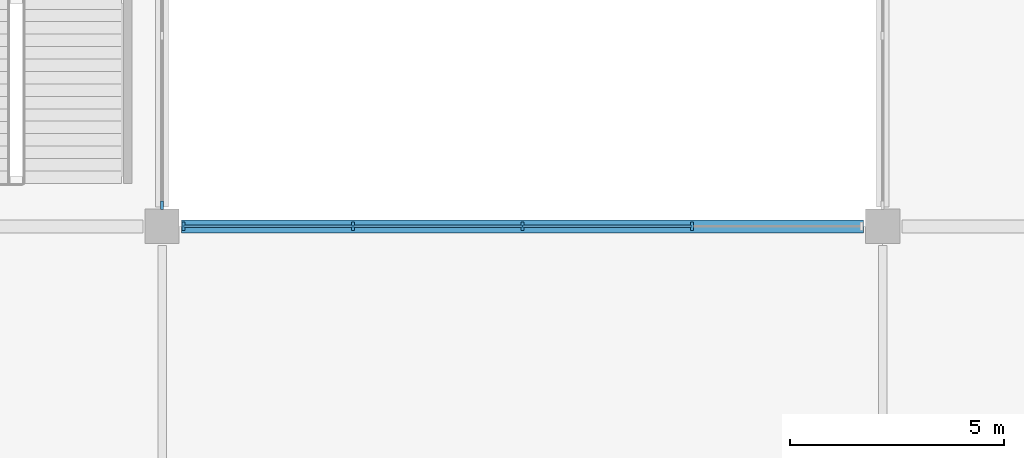
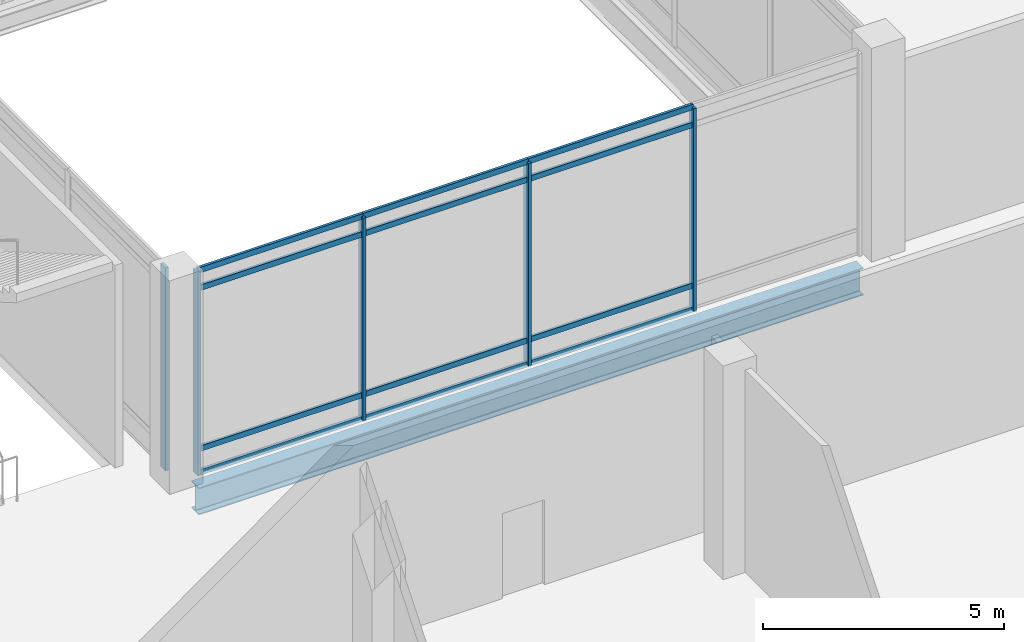
# One storey, part 3 of 72: 17 members, 1 beam, 2 elements without a shape of their own.
"""IFC4 building model written with IfcOpenShell, lengths in metres."""

import ifcopenshell
import ifcopenshell.guid

model = None  # the IFC model being written
_history = None  # IfcOwnerHistory: only IFC2X3 demands one
_inside = {}  # id of a spatial element -> (the spatial element, [elements in it])
_under = {}  # id of a project, library or spatial element -> (it, [spatial elements below it])
_declared = {}  # id of a project -> (the project, [libraries it declares])
_typed = {}  # id of a type object -> (the type object, [elements of that type])
_made_of = {}  # id of a material, layer set ... -> (it, [elements and type objects made of it])


def new_model(schema):
    """Start an empty IFC model of exactly this schema.

    Asked for "IFC4X3", IfcOpenShell would pick the latest addendum, in which some entities
    have other attributes; the version numbers below select the first issue.
    IFC2X3 requires an IfcOwnerHistory on every rooted entity: one is made here for all.
    """
    global model, _history
    if schema == "IFC4X3":
        model = ifcopenshell.file(schema_version=(4, 3, 0, 0))
    else:
        model = ifcopenshell.file(schema=schema)
    _inside.clear()
    _under.clear()
    _declared.clear()
    _typed.clear()
    _made_of.clear()
    _history = None
    if model.schema == "IFC2X3":
        org = make("IfcOrganization", Name="unknown")
        user = make(
            "IfcPersonAndOrganization",
            ThePerson=make("IfcPerson", FamilyName="unknown"),
            TheOrganization=org,
        )
        app = make(
            "IfcApplication",
            ApplicationDeveloper=org,
            Version="unknown",
            ApplicationFullName="unknown",
            ApplicationIdentifier="unknown",
        )
        _history = make(
            "IfcOwnerHistory",
            OwningUser=user,
            OwningApplication=app,
            ChangeAction="ADDED",
            CreationDate=0,
        )
    return model


def make(cls, **values):
    """One entity of the class cls with the attributes given. An attribute that is None is left unset."""
    return model.create_entity(
        cls, **{name: value for name, value in values.items() if value is not None}
    )


def rooted(cls, **values):
    """An entity with a GlobalId (a new one), such as an element, a storey or a relation."""
    return make(cls, GlobalId=ifcopenshell.guid.new(), OwnerHistory=_history, **values)


def si_unit(unit_type, name, prefix=None):
    """IfcSIUnit, for example si_unit("LENGTHUNIT", "METRE", prefix="MILLI")."""
    return make("IfcSIUnit", UnitType=unit_type, Prefix=prefix, Name=name)


def assignment(units):
    """IfcUnitAssignment: the units of a project."""
    return None if units is None else make("IfcUnitAssignment", Units=units)


def point(xyz):
    """IfcCartesianPoint."""
    return None if xyz is None else make("IfcCartesianPoint", Coordinates=xyz)


def direction(xyz):
    """IfcDirection."""
    return None if xyz is None else make("IfcDirection", DirectionRatios=xyz)


def frame(location, z_axis=None, x_axis=None):
    """IfcAxis2Placement3D, a coordinate frame: its origin and axes. An axis left out is left unset."""
    return make(
        "IfcAxis2Placement3D",
        Location=point(location),
        Axis=direction(z_axis),
        RefDirection=direction(x_axis),
    )


def frame_2d(location, x_axis=None):
    """IfcAxis2Placement2D, a coordinate frame in the plane: its origin and x axis."""
    return make(
        "IfcAxis2Placement2D", Location=point(location), RefDirection=direction(x_axis)
    )


def origin():
    """The frame at (0, 0, 0) with its axes left unset."""
    return frame((0.0, 0.0, 0.0))


def origin_2d():
    """The frame at (0, 0) in the plane with its x axis left unset."""
    return frame_2d((0.0, 0.0))


def place(relative_to, where):
    """IfcLocalPlacement: puts the frame where relative to a parent placement (None: the world)."""
    return make(
        "IfcLocalPlacement", PlacementRelTo=relative_to, RelativePlacement=where
    )


def context(
    kind, dimensions, precision=None, world=None, true_north=None, identifier=None
):
    """IfcGeometricRepresentationContext, for example the 3D "Model" context."""
    return make(
        "IfcGeometricRepresentationContext",
        ContextIdentifier=identifier,
        ContextType=kind,
        CoordinateSpaceDimension=dimensions,
        Precision=precision,
        WorldCoordinateSystem=world,
        TrueNorth=true_north,
    )


def subcontext(parent, identifier, kind, view, scale=None):
    """IfcGeometricRepresentationSubContext, for example "Body" below "Model"."""
    return make(
        "IfcGeometricRepresentationSubContext",
        ContextIdentifier=identifier,
        ContextType=kind,
        ParentContext=parent,
        TargetScale=scale,
        TargetView=view,
    )


def project(units=None, contexts=None):
    """IfcProject with its units and contexts."""
    return rooted(
        "IfcProject",
        Name="project",
        RepresentationContexts=contexts,
        UnitsInContext=assignment(units),
    )


def spatial(cls, under=None, at=None, **own):
    """A site, building, storey or space (cls), placed at a placement, below another one or the project."""
    s = rooted(cls, ObjectPlacement=at, **own)
    if under is not None:
        _under.setdefault(under.id(), (under, []))[1].append(s)
    return s


def profile(cls, at=None, kind="AREA", **sizes):
    """A parametric profile (cls). Its sizes go by their IFC names, for example OverallWidth=200.0."""
    return make(cls, ProfileType=kind, Position=at, **sizes)


def rectangle(**sizes):
    """IfcRectangleProfileDef."""
    return profile("IfcRectangleProfileDef", **sizes)


def i_section(**sizes):
    """IfcIShapeProfileDef."""
    return profile("IfcIShapeProfileDef", **sizes)


def extrude(swept, where, along, depth):
    """IfcExtrudedAreaSolid: the profile swept, set in the frame where, extruded along a direction by depth."""
    return make(
        "IfcExtrudedAreaSolid",
        SweptArea=swept,
        Position=where,
        ExtrudedDirection=direction(along),
        Depth=depth,
    )


def shape(context_of_items, identifier, shape_type, items):
    """IfcShapeRepresentation: the items that make up one representation, for example the "Body"."""
    return make(
        "IfcShapeRepresentation",
        ContextOfItems=context_of_items,
        RepresentationIdentifier=identifier,
        RepresentationType=shape_type,
        Items=items,
    )


def material(Name=None, Category=None):
    """IfcMaterial."""
    return make("IfcMaterial", Name=Name, Category=Category)


def layer(
    of_material, thickness, ventilated=None, Name=None, Category=None, Priority=None
):
    """IfcMaterialLayer: one layer of a wall or slab, of a material (None: an air gap)."""
    return make(
        "IfcMaterialLayer",
        Material=of_material,
        LayerThickness=thickness,
        IsVentilated=ventilated,
        Name=Name,
        Category=Category,
        Priority=Priority,
    )


def layer_set(layers, Name=None):
    """IfcMaterialLayerSet."""
    return make("IfcMaterialLayerSet", MaterialLayers=layers, LayerSetName=Name)


def material_profile(
    of_material, cross_section, Name=None, Category=None, Priority=None
):
    """IfcMaterialProfile: a cross section and its material."""
    return make(
        "IfcMaterialProfile",
        Name=Name,
        Material=of_material,
        Profile=cross_section,
        Priority=Priority,
        Category=Category,
    )


def profile_set(profiles, Name=None, composite=None):
    """IfcMaterialProfileSet."""
    return make(
        "IfcMaterialProfileSet",
        Name=Name,
        MaterialProfiles=profiles,
        CompositeProfile=composite,
    )


def made_of(thing, what):
    """Note that an element or type object is made of a material, layer set ...; save() writes the relation."""
    if what is not None:
        _made_of.setdefault(what.id(), (what, []))[1].append(thing)
    return thing


def type_object(cls, material=None, **own):
    """A type object (cls), such as IfcWallType, which elements share."""
    return made_of(rooted(cls, **own), material)


def element(
    cls,
    number,
    at=None,
    inside=None,
    cuts=None,
    type_object=None,
    material=None,
    context=None,
    identifier="Body",
    shape_type=None,
    held_by="IfcProductDefinitionShape",
    body=None,
    shapes=None,
    **own,
):
    """One element of the class cls, such as IfcWall. Its Tag is "e" and its number.

    at: its placement. inside: the storey or other place that contains it. cuts: it is an
    opening in that element (IfcRelVoidsElement). A single representation is given by context,
    identifier, shape_type and body (its items); several are given by shapes. held_by: the class
    of the entity that holds the representations. save() writes the other relations.
    """
    e = rooted(cls, Tag="e%d" % number, ObjectPlacement=at, **own)
    if body is not None:
        shapes = [shape(context, identifier, shape_type, body)]
    if shapes is not None:
        e.Representation = make(held_by, Representations=shapes)
    if inside is not None:
        _inside.setdefault(inside.id(), (inside, []))[1].append(e)
    if cuts is not None:
        rooted(
            "IfcRelVoidsElement", RelatingBuildingElement=cuts, RelatedOpeningElement=e
        )
    if type_object is not None:
        _typed.setdefault(type_object.id(), (type_object, []))[1].append(e)
    return made_of(e, material)


def aggregate(whole, parts):
    """IfcRelAggregates: a whole, such as a stair, and the parts it consists of."""
    return rooted("IfcRelAggregates", RelatingObject=whole, RelatedObjects=parts)


def save(model, path):
    """Write the relations noted so far, then the file.

    IfcRelAggregates (storeys below a building ...), IfcRelContainedInSpatialStructure (elements
    in a storey), IfcRelDefinesByType, IfcRelAssociatesMaterial and IfcRelDeclares: one each for
    every whole, place, type object, material and project.
    """
    for whole, parts in _under.values():
        aggregate(whole, parts)
    for where, things in _inside.values():
        rooted(
            "IfcRelContainedInSpatialStructure",
            RelatedElements=things,
            RelatingStructure=where,
        )
    for kind, things in _typed.values():
        rooted("IfcRelDefinesByType", RelatedObjects=things, RelatingType=kind)
    for what, things in _made_of.values():
        rooted("IfcRelAssociatesMaterial", RelatedObjects=things, RelatingMaterial=what)
    for by, libraries in _declared.values():
        rooted("IfcRelDeclares", RelatingContext=by, RelatedDefinitions=libraries)
    model.write(path)


model = new_model("IFC4")

# Units and contexts
model_context = context("Model", 3, precision=1e-05, world=origin(), true_north=direction((0.0, 1.0)))
body_context = subcontext(model_context, "Body", "Model", "MODEL_VIEW")
ifc_project = project(units=[si_unit("LENGTHUNIT", "METRE"), si_unit("AREAUNIT", "SQUARE_METRE"), si_unit("VOLUMEUNIT", "CUBIC_METRE"), si_unit("PLANEANGLEUNIT", "RADIAN"), si_unit("MASSUNIT", "GRAM", prefix="KILO")], contexts=[model_context])

# Site, building, storey
site_placement = place(None, origin())
site = spatial("IfcSite", under=ifc_project, at=site_placement, CompositionType="ELEMENT")
building_placement = place(site_placement, origin())
building = spatial("IfcBuilding", under=site, at=building_placement, Name="Qawsi Khor Wholesale Market", CompositionType="ELEMENT")
storey_placement = place(building_placement, frame((0.0, 0.0, 6.0)))
storey = spatial("IfcBuildingStorey", under=building, at=storey_placement, Name="L01", CompositionType="ELEMENT", Elevation=6.0)

# Curtain wall, members
ifc_material_1 = material(Name="Aluminium Anodised Bronze", Category="aluminium")
ifc_layer = layer(ifc_material_1, 0.179931640625, Name="Aluminium Anodised Bronze")
ifc_layer_set = layer_set([ifc_layer], Name="Aluminium Anodised Bronze")
curtain_wall_type = type_object("IfcCurtainWallType", Name="Atrium Full-Height Curtain Wall CW-02", PredefinedType="NOTDEFINED", material=ifc_layer_set)
curtain_wall_1_placement = place(storey_placement, origin())
curtain_wall_1 = element("IfcCurtainWall", 1, at=curtain_wall_1_placement, inside=storey, type_object=curtain_wall_type, Name="Curtain wall CW-CW-02-L01-016", PredefinedType="NOTDEFINED")
ifc_material_profile_1 = material_profile(ifc_material_1, rectangle(XDim=0.070068359375, YDim=0.199951171875, at=origin_2d()), Name="ALU MULLION 70x200")
ifc_profile_set_1 = profile_set([ifc_material_profile_1], Name="Aluminium Anodised Bronze")
member_type_1 = type_object("IfcMemberType", Name="Curtain Wall Mullion CW-02 ALU MULLION 70x200", PredefinedType="MULLION", material=ifc_profile_set_1)
member_1_placement = place(storey_placement, frame((50.89501953125, 25.199951171875, -0.02001953125), z_axis=(0.0, 0.0, 1.0), x_axis=(1.0, 0.0, 0.0)))
member_1 = element("IfcMember", 2, at=member_1_placement, type_object=member_type_1, Name="Mullion CW-CW-02-L01-016-M00", PredefinedType="MULLION", context=body_context, shape_type="SweptSolid", body=[
    extrude(rectangle(XDim=0.070068359375, YDim=0.199951171875, at=origin_2d()), origin(), (0.0, 0.0, 1.0), 5.14013671875),
])
member_2_placement = place(storey_placement, frame((54.847412109375, 25.199951171875, -0.02001953125), z_axis=(0.0, 0.0, 1.0), x_axis=(1.0, 0.0, 0.0)))
member_2 = element("IfcMember", 3, at=member_2_placement, type_object=member_type_1, Name="Mullion CW-CW-02-L01-016-M01", PredefinedType="MULLION", context=body_context, shape_type="SweptSolid", body=[
    extrude(rectangle(XDim=0.070068359375, YDim=0.199951171875, at=origin_2d()), origin(), (0.0, 0.0, 1.0), 5.14013671875),
])
member_3_placement = place(storey_placement, frame((58.800048828125, 25.199951171875, -0.02001953125), z_axis=(0.0, 0.0, 1.0), x_axis=(1.0, 0.0, 0.0)))
member_3 = element("IfcMember", 4, at=member_3_placement, type_object=member_type_1, Name="Mullion CW-CW-02-L01-016-M02", PredefinedType="MULLION", context=body_context, shape_type="SweptSolid", body=[
    extrude(rectangle(XDim=0.070068359375, YDim=0.199951171875, at=origin_2d()), origin(), (0.0, 0.0, 1.0), 5.14013671875),
])
member_4_placement = place(storey_placement, frame((62.75244140625, 25.199951171875, -0.02001953125), z_axis=(0.0, 0.0, 1.0), x_axis=(1.0, 0.0, 0.0)))
member_4 = element("IfcMember", 5, at=member_4_placement, type_object=member_type_1, Name="Mullion CW-CW-02-L01-016-M03", PredefinedType="MULLION", context=body_context, shape_type="SweptSolid", body=[
    extrude(rectangle(XDim=0.070068359375, YDim=0.199951171875, at=origin_2d()), origin(), (0.0, 0.0, 1.0), 5.14013671875),
])

# Curtain wall, member
curtain_wall_2_placement = place(storey_placement, origin())
curtain_wall_2 = element("IfcCurtainWall", 6, at=curtain_wall_2_placement, inside=storey, type_object=curtain_wall_type, Name="Curtain wall CW-CW-02-L01-019", PredefinedType="NOTDEFINED")
member_5_placement = place(storey_placement, frame((50.39990234375, 25.695068359375, -0.02001953125), z_axis=(0.0, 0.0, 1.0), x_axis=(1.0, 0.0, 0.0)))
member_5 = element("IfcMember", 7, at=member_5_placement, type_object=member_type_1, Name="Mullion CW-CW-02-L01-019-M00", PredefinedType="MULLION", context=body_context, shape_type="SweptSolid", body=[
    extrude(rectangle(XDim=0.070068359375, YDim=0.199951171875, at=origin_2d()), origin(), (0.0, 0.0, 1.0), 5.14013671875),
])
aggregate(curtain_wall_2, [member_5])

# Member
ifc_material_profile_2 = material_profile(ifc_material_1, rectangle(XDim=0.06494140625, YDim=0.139892578125, at=origin_2d()), Name="ALU TRANSOM 65x140")
ifc_profile_set_2 = profile_set([ifc_material_profile_2], Name="Aluminium Anodised Bronze")
member_type_2 = type_object("IfcMemberType", Name="Curtain Wall Transom CW-02 ALU TRANSOM 65x140", PredefinedType="USERDEFINED", material=ifc_profile_set_2)
member_6_placement = place(storey_placement, frame((50.89501953125, 25.199951171875, 0.0), z_axis=(1.0, 0.0, 0.0), x_axis=(0.0, 1.0, 0.0)))
member_6 = element("IfcMember", 8, at=member_6_placement, type_object=member_type_2, Name="Transom CW-CW-02-L01-016-T0_00", ObjectType="TRANSOM", PredefinedType="USERDEFINED", context=body_context, shape_type="SweptSolid", body=[
    extrude(rectangle(XDim=0.06494140625, YDim=0.139892578125, at=origin_2d()), origin(), (0.0, 0.0, 1.0), 3.952392578125),
])

member_7_placement = place(storey_placement, frame((54.847412109375, 25.199951171875, 0.0), z_axis=(1.0, 0.0, 0.0), x_axis=(0.0, 1.0, 0.0)))
member_7 = element("IfcMember", 9, at=member_7_placement, type_object=member_type_2, Name="Transom CW-CW-02-L01-016-T0_01", ObjectType="TRANSOM", PredefinedType="USERDEFINED", context=body_context, shape_type="SweptSolid", body=[
    extrude(rectangle(XDim=0.06494140625, YDim=0.139892578125, at=origin_2d()), origin(), (0.0, 0.0, 1.0), 3.95263671875),
])

member_8_placement = place(storey_placement, frame((58.800048828125, 25.199951171875, 0.0), z_axis=(1.0, 0.0, 0.0), x_axis=(0.0, 1.0, 0.0)))
member_8 = element("IfcMember", 10, at=member_8_placement, type_object=member_type_2, Name="Transom CW-CW-02-L01-016-T0_02", ObjectType="TRANSOM", PredefinedType="USERDEFINED", context=body_context, shape_type="SweptSolid", body=[
    extrude(rectangle(XDim=0.06494140625, YDim=0.139892578125, at=origin_2d()), origin(), (0.0, 0.0, 1.0), 3.952392578125),
])

member_9_placement = place(storey_placement, frame((50.89501953125, 25.199951171875, 0.60009765625), z_axis=(1.0, 0.0, 0.0), x_axis=(0.0, 1.0, 0.0)))
member_9 = element("IfcMember", 11, at=member_9_placement, type_object=member_type_2, Name="Transom CW-CW-02-L01-016-T1_00", ObjectType="TRANSOM", PredefinedType="USERDEFINED", context=body_context, shape_type="SweptSolid", body=[
    extrude(rectangle(XDim=0.06494140625, YDim=0.139892578125, at=origin_2d()), origin(), (0.0, 0.0, 1.0), 3.952392578125),
])

member_10_placement = place(storey_placement, frame((54.847412109375, 25.199951171875, 0.60009765625), z_axis=(1.0, 0.0, 0.0), x_axis=(0.0, 1.0, 0.0)))
member_10 = element("IfcMember", 12, at=member_10_placement, type_object=member_type_2, Name="Transom CW-CW-02-L01-016-T1_01", ObjectType="TRANSOM", PredefinedType="USERDEFINED", context=body_context, shape_type="SweptSolid", body=[
    extrude(rectangle(XDim=0.06494140625, YDim=0.139892578125, at=origin_2d()), origin(), (0.0, 0.0, 1.0), 3.95263671875),
])

member_11_placement = place(storey_placement, frame((58.800048828125, 25.199951171875, 0.60009765625), z_axis=(1.0, 0.0, 0.0), x_axis=(0.0, 1.0, 0.0)))
member_11 = element("IfcMember", 13, at=member_11_placement, type_object=member_type_2, Name="Transom CW-CW-02-L01-016-T1_02", ObjectType="TRANSOM", PredefinedType="USERDEFINED", context=body_context, shape_type="SweptSolid", body=[
    extrude(rectangle(XDim=0.06494140625, YDim=0.139892578125, at=origin_2d()), origin(), (0.0, 0.0, 1.0), 3.952392578125),
])

member_12_placement = place(storey_placement, frame((50.89501953125, 25.199951171875, 4.669921875), z_axis=(1.0, 0.0, 0.0), x_axis=(0.0, 1.0, 0.0)))
member_12 = element("IfcMember", 14, at=member_12_placement, type_object=member_type_2, Name="Transom CW-CW-02-L01-016-T2_00", ObjectType="TRANSOM", PredefinedType="USERDEFINED", context=body_context, shape_type="SweptSolid", body=[
    extrude(rectangle(XDim=0.06494140625, YDim=0.139892578125, at=origin_2d()), origin(), (0.0, 0.0, 1.0), 3.952392578125),
])

member_13_placement = place(storey_placement, frame((54.847412109375, 25.199951171875, 4.669921875), z_axis=(1.0, 0.0, 0.0), x_axis=(0.0, 1.0, 0.0)))
member_13 = element("IfcMember", 15, at=member_13_placement, type_object=member_type_2, Name="Transom CW-CW-02-L01-016-T2_01", ObjectType="TRANSOM", PredefinedType="USERDEFINED", context=body_context, shape_type="SweptSolid", body=[
    extrude(rectangle(XDim=0.06494140625, YDim=0.139892578125, at=origin_2d()), origin(), (0.0, 0.0, 1.0), 3.95263671875),
])

member_14_placement = place(storey_placement, frame((58.800048828125, 25.199951171875, 4.669921875), z_axis=(1.0, 0.0, 0.0), x_axis=(0.0, 1.0, 0.0)))
member_14 = element("IfcMember", 16, at=member_14_placement, type_object=member_type_2, Name="Transom CW-CW-02-L01-016-T2_02", ObjectType="TRANSOM", PredefinedType="USERDEFINED", context=body_context, shape_type="SweptSolid", body=[
    extrude(rectangle(XDim=0.06494140625, YDim=0.139892578125, at=origin_2d()), origin(), (0.0, 0.0, 1.0), 3.952392578125),
])

member_15_placement = place(storey_placement, frame((50.89501953125, 25.199951171875, 5.1201171875), z_axis=(1.0, 0.0, 0.0), x_axis=(0.0, 1.0, 0.0)))
member_15 = element("IfcMember", 17, at=member_15_placement, type_object=member_type_2, Name="Transom CW-CW-02-L01-016-T3_00", ObjectType="TRANSOM", PredefinedType="USERDEFINED", context=body_context, shape_type="SweptSolid", body=[
    extrude(rectangle(XDim=0.06494140625, YDim=0.139892578125, at=origin_2d()), origin(), (0.0, 0.0, 1.0), 3.952392578125),
])

member_16_placement = place(storey_placement, frame((54.847412109375, 25.199951171875, 5.1201171875), z_axis=(1.0, 0.0, 0.0), x_axis=(0.0, 1.0, 0.0)))
member_16 = element("IfcMember", 18, at=member_16_placement, type_object=member_type_2, Name="Transom CW-CW-02-L01-016-T3_01", ObjectType="TRANSOM", PredefinedType="USERDEFINED", context=body_context, shape_type="SweptSolid", body=[
    extrude(rectangle(XDim=0.06494140625, YDim=0.139892578125, at=origin_2d()), origin(), (0.0, 0.0, 1.0), 3.95263671875),
])

member_17_placement = place(storey_placement, frame((58.800048828125, 25.199951171875, 5.1201171875), z_axis=(1.0, 0.0, 0.0), x_axis=(0.0, 1.0, 0.0)))
member_17 = element("IfcMember", 19, at=member_17_placement, type_object=member_type_2, Name="Transom CW-CW-02-L01-016-T3_02", ObjectType="TRANSOM", PredefinedType="USERDEFINED", context=body_context, shape_type="SweptSolid", body=[
    extrude(rectangle(XDim=0.06494140625, YDim=0.139892578125, at=origin_2d()), origin(), (0.0, 0.0, 1.0), 3.952392578125),
])

aggregate(curtain_wall_1, [member_1, member_2, member_3, member_4, member_6, member_7, member_8, member_9, member_10, member_11, member_12, member_13, member_14, member_15, member_16, member_17])

# Beam
ifc_material_2 = material(Name="Steel S355", Category="steel")
ifc_material_profile_3 = material_profile(ifc_material_2, i_section(OverallWidth=0.300048828125, OverallDepth=0.68994140625, WebThickness=0.014404296875, FlangeThickness=0.027099609375, FilletRadius=0.027099609375, at=origin_2d()), Name="HEA 700")
ifc_profile_set_3 = profile_set([ifc_material_profile_3], Name="Steel S355")
beam_type = type_object("IfcBeamType", Name="Primary Girder HEA 700", PredefinedType="BEAM", material=ifc_profile_set_3)
beam_placement = place(storey_placement, frame((50.85009765625, 25.199951171875, -0.625), z_axis=(1.0, 0.0, 0.0), x_axis=(0.0, 1.0, 0.0)))
element("IfcBeam", 20, at=beam_placement, inside=storey, type_object=beam_type, Name="BM-XL-L01-06_+03", PredefinedType="BEAM", context=body_context, shape_type="SweptSolid", body=[
    extrude(i_section(OverallWidth=0.300048828125, OverallDepth=0.68994140625, WebThickness=0.014404296875, FlangeThickness=0.027099609375, FilletRadius=0.027099609375, at=origin_2d()), origin(), (0.0, 0.0, 1.0), 15.89990234375),
])

save(model, "model.ifc")
